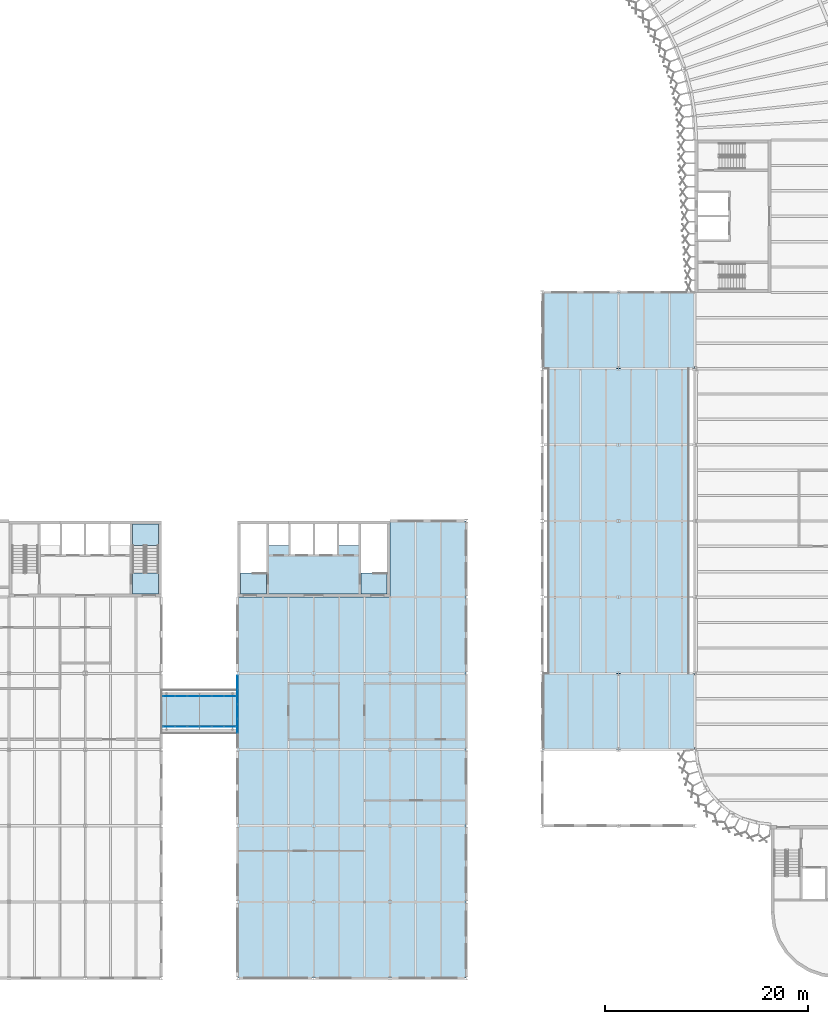
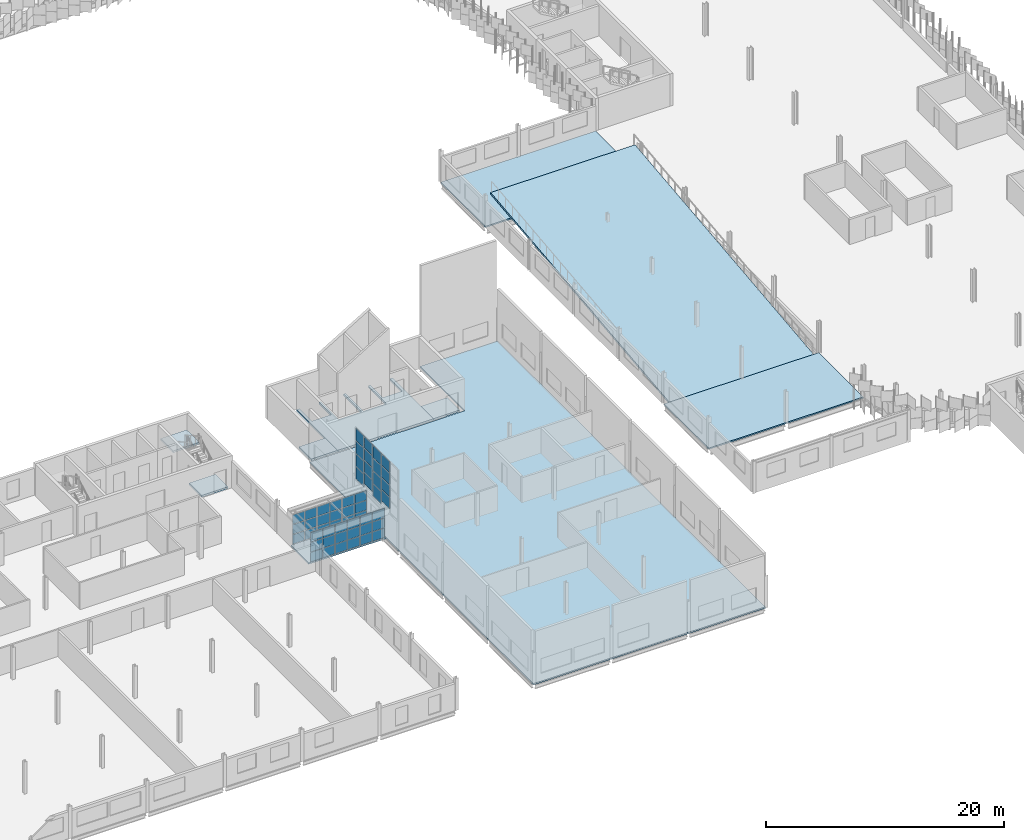
# One storey, part 41 of 198: 52 plates, 10 slabs, 11 elements without a shape of their own.
"""IFC4 building model written with IfcOpenShell, lengths in metres."""

import ifcopenshell
import ifcopenshell.guid

model = None  # the IFC model being written
_history = None  # IfcOwnerHistory: only IFC2X3 demands one
_inside = {}  # id of a spatial element -> (the spatial element, [elements in it])
_under = {}  # id of a project, library or spatial element -> (it, [spatial elements below it])
_declared = {}  # id of a project -> (the project, [libraries it declares])
_typed = {}  # id of a type object -> (the type object, [elements of that type])
_made_of = {}  # id of a material, layer set ... -> (it, [elements and type objects made of it])


def new_model(schema):
    """Start an empty IFC model of exactly this schema.

    Asked for "IFC4X3", IfcOpenShell would pick the latest addendum, in which some entities
    have other attributes; the version numbers below select the first issue.
    IFC2X3 requires an IfcOwnerHistory on every rooted entity: one is made here for all.
    """
    global model, _history
    if schema == "IFC4X3":
        model = ifcopenshell.file(schema_version=(4, 3, 0, 0))
    else:
        model = ifcopenshell.file(schema=schema)
    _inside.clear()
    _under.clear()
    _declared.clear()
    _typed.clear()
    _made_of.clear()
    _history = None
    if model.schema == "IFC2X3":
        org = make("IfcOrganization", Name="unknown")
        user = make(
            "IfcPersonAndOrganization",
            ThePerson=make("IfcPerson", FamilyName="unknown"),
            TheOrganization=org,
        )
        app = make(
            "IfcApplication",
            ApplicationDeveloper=org,
            Version="unknown",
            ApplicationFullName="unknown",
            ApplicationIdentifier="unknown",
        )
        _history = make(
            "IfcOwnerHistory",
            OwningUser=user,
            OwningApplication=app,
            ChangeAction="ADDED",
            CreationDate=0,
        )
    return model


def make(cls, **values):
    """One entity of the class cls with the attributes given. An attribute that is None is left unset."""
    return model.create_entity(
        cls, **{name: value for name, value in values.items() if value is not None}
    )


def rooted(cls, **values):
    """An entity with a GlobalId (a new one), such as an element, a storey or a relation."""
    return make(cls, GlobalId=ifcopenshell.guid.new(), OwnerHistory=_history, **values)


def si_unit(unit_type, name, prefix=None):
    """IfcSIUnit, for example si_unit("LENGTHUNIT", "METRE", prefix="MILLI")."""
    return make("IfcSIUnit", UnitType=unit_type, Prefix=prefix, Name=name)


def assignment(units):
    """IfcUnitAssignment: the units of a project."""
    return None if units is None else make("IfcUnitAssignment", Units=units)


def point(xyz):
    """IfcCartesianPoint."""
    return None if xyz is None else make("IfcCartesianPoint", Coordinates=xyz)


def direction(xyz):
    """IfcDirection."""
    return None if xyz is None else make("IfcDirection", DirectionRatios=xyz)


def frame(location, z_axis=None, x_axis=None):
    """IfcAxis2Placement3D, a coordinate frame: its origin and axes. An axis left out is left unset."""
    return make(
        "IfcAxis2Placement3D",
        Location=point(location),
        Axis=direction(z_axis),
        RefDirection=direction(x_axis),
    )


def frame_2d(location, x_axis=None):
    """IfcAxis2Placement2D, a coordinate frame in the plane: its origin and x axis."""
    return make(
        "IfcAxis2Placement2D", Location=point(location), RefDirection=direction(x_axis)
    )


def origin():
    """The frame at (0, 0, 0) with its axes left unset."""
    return frame((0.0, 0.0, 0.0))


def origin_2d():
    """The frame at (0, 0) in the plane with its x axis left unset."""
    return frame_2d((0.0, 0.0))


def place(relative_to, where):
    """IfcLocalPlacement: puts the frame where relative to a parent placement (None: the world)."""
    return make(
        "IfcLocalPlacement", PlacementRelTo=relative_to, RelativePlacement=where
    )


def context(
    kind, dimensions, precision=None, world=None, true_north=None, identifier=None
):
    """IfcGeometricRepresentationContext, for example the 3D "Model" context."""
    return make(
        "IfcGeometricRepresentationContext",
        ContextIdentifier=identifier,
        ContextType=kind,
        CoordinateSpaceDimension=dimensions,
        Precision=precision,
        WorldCoordinateSystem=world,
        TrueNorth=true_north,
    )


def subcontext(parent, identifier, kind, view, scale=None):
    """IfcGeometricRepresentationSubContext, for example "Body" below "Model"."""
    return make(
        "IfcGeometricRepresentationSubContext",
        ContextIdentifier=identifier,
        ContextType=kind,
        ParentContext=parent,
        TargetScale=scale,
        TargetView=view,
    )


def project(units=None, contexts=None):
    """IfcProject with its units and contexts."""
    return rooted(
        "IfcProject",
        Name="project",
        RepresentationContexts=contexts,
        UnitsInContext=assignment(units),
    )


def spatial(cls, under=None, at=None, **own):
    """A site, building, storey or space (cls), placed at a placement, below another one or the project."""
    s = rooted(cls, ObjectPlacement=at, **own)
    if under is not None:
        _under.setdefault(under.id(), (under, []))[1].append(s)
    return s


def polyline(points):
    """IfcPolyline through the points."""
    return make("IfcPolyline", Points=[point(p) for p in points])


def profile(cls, at=None, kind="AREA", **sizes):
    """A parametric profile (cls). Its sizes go by their IFC names, for example OverallWidth=200.0."""
    return make(cls, ProfileType=kind, Position=at, **sizes)


def rectangle(**sizes):
    """IfcRectangleProfileDef."""
    return profile("IfcRectangleProfileDef", **sizes)


def outline(outer, holes=None, kind="AREA"):
    """IfcArbitraryClosedProfileDef: a profile drawn as a closed curve; with holes, ...WithVoids."""
    if holes is None:
        return make("IfcArbitraryClosedProfileDef", ProfileType=kind, OuterCurve=outer)
    return make(
        "IfcArbitraryProfileDefWithVoids",
        ProfileType=kind,
        OuterCurve=outer,
        InnerCurves=holes,
    )


def extrude(swept, where, along, depth):
    """IfcExtrudedAreaSolid: the profile swept, set in the frame where, extruded along a direction by depth."""
    return make(
        "IfcExtrudedAreaSolid",
        SweptArea=swept,
        Position=where,
        ExtrudedDirection=direction(along),
        Depth=depth,
    )


def shape(context_of_items, identifier, shape_type, items):
    """IfcShapeRepresentation: the items that make up one representation, for example the "Body"."""
    return make(
        "IfcShapeRepresentation",
        ContextOfItems=context_of_items,
        RepresentationIdentifier=identifier,
        RepresentationType=shape_type,
        Items=items,
    )


def material(Name=None, Category=None):
    """IfcMaterial."""
    return make("IfcMaterial", Name=Name, Category=Category)


def layer(
    of_material, thickness, ventilated=None, Name=None, Category=None, Priority=None
):
    """IfcMaterialLayer: one layer of a wall or slab, of a material (None: an air gap)."""
    return make(
        "IfcMaterialLayer",
        Material=of_material,
        LayerThickness=thickness,
        IsVentilated=ventilated,
        Name=Name,
        Category=Category,
        Priority=Priority,
    )


def layer_set(layers, Name=None):
    """IfcMaterialLayerSet."""
    return make("IfcMaterialLayerSet", MaterialLayers=layers, LayerSetName=Name)


def made_of(thing, what):
    """Note that an element or type object is made of a material, layer set ...; save() writes the relation."""
    if what is not None:
        _made_of.setdefault(what.id(), (what, []))[1].append(thing)
    return thing


def type_object(cls, material=None, **own):
    """A type object (cls), such as IfcWallType, which elements share."""
    return made_of(rooted(cls, **own), material)


def element(
    cls,
    number,
    at=None,
    inside=None,
    cuts=None,
    type_object=None,
    material=None,
    context=None,
    identifier="Body",
    shape_type=None,
    held_by="IfcProductDefinitionShape",
    body=None,
    shapes=None,
    **own,
):
    """One element of the class cls, such as IfcWall. Its Tag is "e" and its number.

    at: its placement. inside: the storey or other place that contains it. cuts: it is an
    opening in that element (IfcRelVoidsElement). A single representation is given by context,
    identifier, shape_type and body (its items); several are given by shapes. held_by: the class
    of the entity that holds the representations. save() writes the other relations.
    """
    e = rooted(cls, Tag="e%d" % number, ObjectPlacement=at, **own)
    if body is not None:
        shapes = [shape(context, identifier, shape_type, body)]
    if shapes is not None:
        e.Representation = make(held_by, Representations=shapes)
    if inside is not None:
        _inside.setdefault(inside.id(), (inside, []))[1].append(e)
    if cuts is not None:
        rooted(
            "IfcRelVoidsElement", RelatingBuildingElement=cuts, RelatedOpeningElement=e
        )
    if type_object is not None:
        _typed.setdefault(type_object.id(), (type_object, []))[1].append(e)
    return made_of(e, material)


def aggregate(whole, parts):
    """IfcRelAggregates: a whole, such as a stair, and the parts it consists of."""
    return rooted("IfcRelAggregates", RelatingObject=whole, RelatedObjects=parts)


def save(model, path):
    """Write the relations noted so far, then the file.

    IfcRelAggregates (storeys below a building ...), IfcRelContainedInSpatialStructure (elements
    in a storey), IfcRelDefinesByType, IfcRelAssociatesMaterial and IfcRelDeclares: one each for
    every whole, place, type object, material and project.
    """
    for whole, parts in _under.values():
        aggregate(whole, parts)
    for where, things in _inside.values():
        rooted(
            "IfcRelContainedInSpatialStructure",
            RelatedElements=things,
            RelatingStructure=where,
        )
    for kind, things in _typed.values():
        rooted("IfcRelDefinesByType", RelatedObjects=things, RelatingType=kind)
    for what, things in _made_of.values():
        rooted("IfcRelAssociatesMaterial", RelatedObjects=things, RelatingMaterial=what)
    for by, libraries in _declared.values():
        rooted("IfcRelDeclares", RelatingContext=by, RelatedDefinitions=libraries)
    model.write(path)


model = new_model("IFC4")

# Units and contexts
model_context = context("Model", 3, precision=1e-05, world=origin(), true_north=direction((0.0, 1.0)))
body_context = subcontext(model_context, "Body", "Model", "MODEL_VIEW")
ifc_project = project(units=[si_unit("LENGTHUNIT", "METRE"), si_unit("AREAUNIT", "SQUARE_METRE"), si_unit("VOLUMEUNIT", "CUBIC_METRE"), si_unit("PLANEANGLEUNIT", "RADIAN"), si_unit("MASSUNIT", "GRAM", prefix="KILO")], contexts=[model_context])

# Site, building, storey
site_placement = place(None, origin())
site = spatial("IfcSite", under=ifc_project, at=site_placement, CompositionType="ELEMENT")
building_placement = place(site_placement, origin())
building = spatial("IfcBuilding", under=site, at=building_placement, Name="Parallax Yard Mobility Hub", CompositionType="ELEMENT")
storey_placement = place(building_placement, frame((0.0, 0.0, 6.60009765625)))
storey = spatial("IfcBuildingStorey", under=building, at=storey_placement, Name="L02", CompositionType="ELEMENT", Elevation=6.60009765625)

# Slabs
ifc_material_1 = material(Name="Composite slab: Concrete fc' 28 MPa on 76 mm steel deck", Category="concrete")
ifc_layer_1 = layer(ifc_material_1, 0.139892578125)
ifc_layer_set_1 = layer_set([ifc_layer_1], Name="Bridge deck slab")
slab_type_1 = type_object("IfcSlabType", Name="Bridge deck slab", PredefinedType="FLOOR", material=ifc_layer_set_1)
slab_1_placement = place(storey_placement, frame((0.0, 0.0, -0.14013671875)))
element("IfcSlab", 1, at=slab_1_placement, inside=storey, type_object=slab_type_1, Name="Bridge BR3 level L02 deck", PredefinedType="FLOOR", context=body_context, shape_type="SweptSolid", body=[
    extrude(outline(polyline([(142.5, 32.25), (150.0, 32.25), (150.0, 35.25), (142.5, 35.25), (142.5, 32.25)])), origin(), (0.0, 0.0, 1.0), 0.14013671875),
])
ifc_layer_2 = layer(ifc_material_1, 0.139892578125)
ifc_layer_set_2 = layer_set([ifc_layer_2], Name="Composite floor slab 140")
slab_type_2 = type_object("IfcSlabType", Name="Composite floor slab 140", PredefinedType="FLOOR", material=ifc_layer_set_2)
slab_2_placement = place(storey_placement, frame((0.0, 0.0, -0.14013671875)))
element("IfcSlab", 2, at=slab_2_placement, inside=storey, type_object=slab_type_2, Name="Composite floor slab level L02 of the bicycle and shared-mobility hall", PredefinedType="FLOOR", context=body_context, shape_type="SweptSolid", body=[
    extrude(outline(polyline([(172.5, 52.5), (165.0, 52.5), (165.0, 45.0), (150.0, 45.0), (150.0, 7.5), (172.5, 7.5), (172.5, 52.5)])), origin(), (0.0, 0.0, 1.0), 0.14013671875),
])
slab_3_placement = place(storey_placement, frame((0.0, 0.0, -0.14013671875)))
element("IfcSlab", 3, at=slab_3_placement, inside=storey, type_object=slab_type_2, Name="Composite floor slab level L02 of the ramp house (south landing)", PredefinedType="FLOOR", context=body_context, shape_type="SweptSolid", body=[
    extrude(outline(polyline([(195.0, 30.0), (195.0, 37.5), (180.0, 37.5), (180.0, 30.0), (195.0, 30.0)])), origin(), (0.0, 0.0, 1.0), 0.14013671875),
])
slab_4_placement = place(storey_placement, frame((0.0, 0.0, -0.14013671875)))
element("IfcSlab", 4, at=slab_4_placement, inside=storey, type_object=slab_type_2, Name="Composite floor slab level L02 of the ramp house (north landing)", PredefinedType="FLOOR", context=body_context, shape_type="SweptSolid", body=[
    extrude(outline(polyline([(195.0, 67.5), (195.0, 75.0), (180.0, 75.0), (180.0, 67.5), (195.0, 67.5)])), origin(), (0.0, 0.0, 1.0), 0.14013671875),
])
ifc_material_2 = material(Name="Concrete fc' 28 MPa", Category="concrete")
ifc_layer_3 = layer(ifc_material_2, 0.199951171875)
ifc_layer_set_3 = layer_set([ifc_layer_3], Name="Concrete fc' 28 MPa vehicle ramp slab 200")
slab_type_3 = type_object("IfcSlabType", Name="Concrete fc' 28 MPa vehicle ramp slab 200", PredefinedType="FLOOR", material=ifc_layer_set_3)
slab_5_placement = place(storey_placement, frame((187.5, 37.5, 0.0), z_axis=(0.0, 0.0, 1.0), x_axis=(0.0, 1.0, 0.0)))
element("IfcSlab", 5, at=slab_5_placement, inside=storey, type_object=slab_type_3, Name="Vehicle ramp slab RP3 L02 to L03", PredefinedType="FLOOR", context=body_context, shape_type="SweptSolid", body=[
    extrude(outline(polyline([(0.0, -0.199951171875), (30.0, 3.099853515625), (30.0, 3.2998046875), (0.0, 0.0), (0.0, -0.199951171875)])), frame((0.0, 7.0, 0.0), z_axis=(0.0, -1.0, 0.0), x_axis=(1.0, 0.0, 0.0)), (0.0, 0.0, 1.0), 14.0),
])
ifc_material_3 = material(Name="Concrete fc' 35 MPa", Category="concrete")
ifc_layer_4 = layer(ifc_material_3, 0.199951171875)
ifc_layer_set_4 = layer_set([ifc_layer_4], Name="Core floor slab 200")
slab_type_4 = type_object("IfcSlabType", Name="Core floor slab 200", PredefinedType="FLOOR", material=ifc_layer_set_4)
slab_6_placement = place(storey_placement, frame((0.0, 0.0, -0.2001953125)))
element("IfcSlab", 6, at=slab_6_placement, inside=storey, type_object=slab_type_4, Name="Core C5 floor slab level L02", PredefinedType="FLOOR", context=body_context, shape_type="SweptSolid", body=[
    extrude(outline(polyline([(157.39990234375, 49.199951171875), (157.39990234375, 52.199951171875), (157.60009765625, 52.199951171875), (157.60009765625, 49.199951171875), (159.800048828125, 49.199951171875), (159.800048828125, 52.199951171875), (160.0, 52.199951171875), (160.0, 50.10009765625), (161.89990234375, 50.10009765625), (161.89990234375, 52.199951171875), (162.14990234375, 52.199951171875), (162.14990234375, 45.300048828125), (152.85009765625, 45.300048828125), (152.85009765625, 52.199951171875), (153.10009765625, 52.199951171875), (153.10009765625, 50.10009765625), (155.0, 50.10009765625), (155.0, 52.199951171875), (155.199951171875, 52.199951171875), (155.199951171875, 49.199951171875), (157.39990234375, 49.199951171875)])), origin(), (0.0, 0.0, 1.0), 0.2001953125),
])

# Stair, slab
stair_type = type_object("IfcStairType", Name="Sports deck stair 1200 dog-leg", PredefinedType="HALF_TURN_STAIR", material=ifc_material_3)
stair_placement = place(storey_placement, origin())
stair = element("IfcStair", 7, at=stair_placement, inside=storey, type_object=stair_type, Name="L02 Exit stair 2 of core C6-E", PredefinedType="HALF_TURN_STAIR")
ifc_layer_5 = layer(ifc_material_3, 0.199951171875)
ifc_layer_set_5 = layer_set([ifc_layer_5], Name="Exit stair landing 200")
slab_type_5 = type_object("IfcSlabType", Name="Exit stair landing 200", PredefinedType="LANDING", material=ifc_layer_set_5)
slab_7_placement = place(storey_placement, frame((0.0, 0.0, 1.449951171875)))
slab_7 = element("IfcSlab", 8, at=slab_7_placement, type_object=slab_type_5, Name="ST14 landing 1", PredefinedType="LANDING", context=body_context, shape_type="SweptSolid", body=[
    extrude(outline(polyline([(142.199951171875, 50.10009765625), (142.199951171875, 52.199951171875), (139.64990234375, 52.199951171875), (139.64990234375, 50.10009765625), (142.199951171875, 50.10009765625)])), origin(), (0.0, 0.0, 1.0), 0.199951171875),
])
aggregate(stair, [slab_7])

# Curtain wall, plates
ifc_material_4 = material(Name="Thermally broken aluminium curtain wall system", Category="aluminium")
curtain_wall_type_1 = type_object("IfcCurtainWallType", Name="Bridge curtain wall run 50 x 120 frame", PredefinedType="NOTDEFINED", material=ifc_material_4)
curtain_wall_1_placement = place(storey_placement, origin())
curtain_wall_1 = element("IfcCurtainWall", 9, at=curtain_wall_1_placement, inside=storey, type_object=curtain_wall_type_1, Name="Curtain wall run bridge BR3 south side level L02", PredefinedType="NOTDEFINED")
ifc_material_5 = material(Name="Laminated low-E double glazing", Category="glass")
ifc_layer_6 = layer(ifc_material_5, 0.02392578125)
ifc_layer_set_6 = layer_set([ifc_layer_6], Name="Glazing panel 24")
plate_type_1 = type_object("IfcPlateType", Name="Glazing panel 24", PredefinedType="CURTAIN_PANEL", material=ifc_layer_set_6)
plate_1_placement = place(storey_placement, frame((143.24169921875, 32.25, 0.0498046875), z_axis=(0.0, 0.0, 1.0), x_axis=(1.0, 0.0, 0.0)))
plate_1 = element("IfcPlate", 10, at=plate_1_placement, type_object=plate_type_1, Name="CW2 panel 1.1", PredefinedType="CURTAIN_PANEL", context=body_context, shape_type="SweptSolid", body=[
    extrude(rectangle(XDim=1.13330078125, YDim=0.02392578125, at=origin_2d()), origin(), (0.0, 0.0, 1.0), 0.95703125),
])
plate_2_placement = place(storey_placement, frame((143.24169921875, 32.25, 1.056884765625), z_axis=(0.0, 0.0, 1.0), x_axis=(1.0, 0.0, 0.0)))
plate_2 = element("IfcPlate", 11, at=plate_2_placement, type_object=plate_type_1, Name="CW2 panel 1.2", PredefinedType="CURTAIN_PANEL", context=body_context, shape_type="SweptSolid", body=[
    extrude(rectangle(XDim=1.13330078125, YDim=0.02392578125, at=origin_2d()), origin(), (0.0, 0.0, 1.0), 0.98193359375),
])
plate_3_placement = place(storey_placement, frame((143.24169921875, 32.25, 2.0888671875), z_axis=(0.0, 0.0, 1.0), x_axis=(1.0, 0.0, 0.0)))
plate_3 = element("IfcPlate", 12, at=plate_3_placement, type_object=plate_type_1, Name="CW2 panel 1.3", PredefinedType="CURTAIN_PANEL", context=body_context, shape_type="SweptSolid", body=[
    extrude(rectangle(XDim=1.13330078125, YDim=0.02392578125, at=origin_2d()), origin(), (0.0, 0.0, 1.0), 0.95703125),
])
plate_4_placement = place(storey_placement, frame((144.425048828125, 32.25, 0.0498046875), z_axis=(0.0, 0.0, 1.0), x_axis=(1.0, 0.0, 0.0)))
plate_4 = element("IfcPlate", 13, at=plate_4_placement, type_object=plate_type_1, Name="CW2 panel 2.1", PredefinedType="CURTAIN_PANEL", context=body_context, shape_type="SweptSolid", body=[
    extrude(rectangle(XDim=1.13330078125, YDim=0.02392578125, at=origin_2d()), origin(), (0.0, 0.0, 1.0), 0.95703125),
])
plate_5_placement = place(storey_placement, frame((144.425048828125, 32.25, 1.056884765625), z_axis=(0.0, 0.0, 1.0), x_axis=(1.0, 0.0, 0.0)))
plate_5 = element("IfcPlate", 14, at=plate_5_placement, type_object=plate_type_1, Name="CW2 panel 2.2", PredefinedType="CURTAIN_PANEL", context=body_context, shape_type="SweptSolid", body=[
    extrude(rectangle(XDim=1.13330078125, YDim=0.02392578125, at=origin_2d()), origin(), (0.0, 0.0, 1.0), 0.98193359375),
])
plate_6_placement = place(storey_placement, frame((144.425048828125, 32.25, 2.0888671875), z_axis=(0.0, 0.0, 1.0), x_axis=(1.0, 0.0, 0.0)))
plate_6 = element("IfcPlate", 15, at=plate_6_placement, type_object=plate_type_1, Name="CW2 panel 2.3", PredefinedType="CURTAIN_PANEL", context=body_context, shape_type="SweptSolid", body=[
    extrude(rectangle(XDim=1.13330078125, YDim=0.02392578125, at=origin_2d()), origin(), (0.0, 0.0, 1.0), 0.95703125),
])
aggregate(curtain_wall_1, [plate_1, plate_2, plate_3, plate_4, plate_5, plate_6])

curtain_wall_2_placement = place(storey_placement, origin())
curtain_wall_2 = element("IfcCurtainWall", 16, at=curtain_wall_2_placement, inside=storey, type_object=curtain_wall_type_1, Name="Curtain wall run bridge BR3 south side level L02", PredefinedType="NOTDEFINED")
plate_7_placement = place(storey_placement, frame((145.658447265625, 32.25, 0.0498046875), z_axis=(0.0, 0.0, 1.0), x_axis=(1.0, 0.0, 0.0)))
plate_7 = element("IfcPlate", 17, at=plate_7_placement, type_object=plate_type_1, Name="CW2 panel 1.1", PredefinedType="CURTAIN_PANEL", context=body_context, shape_type="SweptSolid", body=[
    extrude(rectangle(XDim=1.13330078125, YDim=0.02392578125, at=origin_2d()), origin(), (0.0, 0.0, 1.0), 0.95703125),
])
plate_8_placement = place(storey_placement, frame((145.658447265625, 32.25, 1.056884765625), z_axis=(0.0, 0.0, 1.0), x_axis=(1.0, 0.0, 0.0)))
plate_8 = element("IfcPlate", 18, at=plate_8_placement, type_object=plate_type_1, Name="CW2 panel 1.2", PredefinedType="CURTAIN_PANEL", context=body_context, shape_type="SweptSolid", body=[
    extrude(rectangle(XDim=1.13330078125, YDim=0.02392578125, at=origin_2d()), origin(), (0.0, 0.0, 1.0), 0.98193359375),
])
plate_9_placement = place(storey_placement, frame((145.658447265625, 32.25, 2.0888671875), z_axis=(0.0, 0.0, 1.0), x_axis=(1.0, 0.0, 0.0)))
plate_9 = element("IfcPlate", 19, at=plate_9_placement, type_object=plate_type_1, Name="CW2 panel 1.3", PredefinedType="CURTAIN_PANEL", context=body_context, shape_type="SweptSolid", body=[
    extrude(rectangle(XDim=1.13330078125, YDim=0.02392578125, at=origin_2d()), origin(), (0.0, 0.0, 1.0), 0.95703125),
])
plate_10_placement = place(storey_placement, frame((146.841552734375, 32.25, 0.0498046875), z_axis=(0.0, 0.0, 1.0), x_axis=(1.0, 0.0, 0.0)))
plate_10 = element("IfcPlate", 20, at=plate_10_placement, type_object=plate_type_1, Name="CW2 panel 2.1", PredefinedType="CURTAIN_PANEL", context=body_context, shape_type="SweptSolid", body=[
    extrude(rectangle(XDim=1.13330078125, YDim=0.02392578125, at=origin_2d()), origin(), (0.0, 0.0, 1.0), 0.95703125),
])
plate_11_placement = place(storey_placement, frame((146.841552734375, 32.25, 1.056884765625), z_axis=(0.0, 0.0, 1.0), x_axis=(1.0, 0.0, 0.0)))
plate_11 = element("IfcPlate", 21, at=plate_11_placement, type_object=plate_type_1, Name="CW2 panel 2.2", PredefinedType="CURTAIN_PANEL", context=body_context, shape_type="SweptSolid", body=[
    extrude(rectangle(XDim=1.13330078125, YDim=0.02392578125, at=origin_2d()), origin(), (0.0, 0.0, 1.0), 0.98193359375),
])
plate_12_placement = place(storey_placement, frame((146.841552734375, 32.25, 2.0888671875), z_axis=(0.0, 0.0, 1.0), x_axis=(1.0, 0.0, 0.0)))
plate_12 = element("IfcPlate", 22, at=plate_12_placement, type_object=plate_type_1, Name="CW2 panel 2.3", PredefinedType="CURTAIN_PANEL", context=body_context, shape_type="SweptSolid", body=[
    extrude(rectangle(XDim=1.13330078125, YDim=0.02392578125, at=origin_2d()), origin(), (0.0, 0.0, 1.0), 0.95703125),
])
aggregate(curtain_wall_2, [plate_7, plate_8, plate_9, plate_10, plate_11, plate_12])

curtain_wall_3_placement = place(storey_placement, origin())
curtain_wall_3 = element("IfcCurtainWall", 23, at=curtain_wall_3_placement, inside=storey, type_object=curtain_wall_type_1, Name="Curtain wall run bridge BR3 south side level L02", PredefinedType="NOTDEFINED")
plate_13_placement = place(storey_placement, frame((148.074951171875, 32.25, 0.0498046875), z_axis=(0.0, 0.0, 1.0), x_axis=(1.0, 0.0, 0.0)))
plate_13 = element("IfcPlate", 24, at=plate_13_placement, type_object=plate_type_1, Name="CW2 panel 1.1", PredefinedType="CURTAIN_PANEL", context=body_context, shape_type="SweptSolid", body=[
    extrude(rectangle(XDim=1.13330078125, YDim=0.02392578125, at=origin_2d()), origin(), (0.0, 0.0, 1.0), 0.95703125),
])
plate_14_placement = place(storey_placement, frame((148.074951171875, 32.25, 1.056884765625), z_axis=(0.0, 0.0, 1.0), x_axis=(1.0, 0.0, 0.0)))
plate_14 = element("IfcPlate", 25, at=plate_14_placement, type_object=plate_type_1, Name="CW2 panel 1.2", PredefinedType="CURTAIN_PANEL", context=body_context, shape_type="SweptSolid", body=[
    extrude(rectangle(XDim=1.13330078125, YDim=0.02392578125, at=origin_2d()), origin(), (0.0, 0.0, 1.0), 0.98193359375),
])
plate_15_placement = place(storey_placement, frame((148.074951171875, 32.25, 2.0888671875), z_axis=(0.0, 0.0, 1.0), x_axis=(1.0, 0.0, 0.0)))
plate_15 = element("IfcPlate", 26, at=plate_15_placement, type_object=plate_type_1, Name="CW2 panel 1.3", PredefinedType="CURTAIN_PANEL", context=body_context, shape_type="SweptSolid", body=[
    extrude(rectangle(XDim=1.13330078125, YDim=0.02392578125, at=origin_2d()), origin(), (0.0, 0.0, 1.0), 0.95703125),
])
plate_16_placement = place(storey_placement, frame((149.25830078125, 32.25, 0.0498046875), z_axis=(0.0, 0.0, 1.0), x_axis=(1.0, 0.0, 0.0)))
plate_16 = element("IfcPlate", 27, at=plate_16_placement, type_object=plate_type_1, Name="CW2 panel 2.1", PredefinedType="CURTAIN_PANEL", context=body_context, shape_type="SweptSolid", body=[
    extrude(rectangle(XDim=1.13330078125, YDim=0.02392578125, at=origin_2d()), origin(), (0.0, 0.0, 1.0), 0.95703125),
])
plate_17_placement = place(storey_placement, frame((149.25830078125, 32.25, 1.056884765625), z_axis=(0.0, 0.0, 1.0), x_axis=(1.0, 0.0, 0.0)))
plate_17 = element("IfcPlate", 28, at=plate_17_placement, type_object=plate_type_1, Name="CW2 panel 2.2", PredefinedType="CURTAIN_PANEL", context=body_context, shape_type="SweptSolid", body=[
    extrude(rectangle(XDim=1.13330078125, YDim=0.02392578125, at=origin_2d()), origin(), (0.0, 0.0, 1.0), 0.98193359375),
])
plate_18_placement = place(storey_placement, frame((149.25830078125, 32.25, 2.0888671875), z_axis=(0.0, 0.0, 1.0), x_axis=(1.0, 0.0, 0.0)))
plate_18 = element("IfcPlate", 29, at=plate_18_placement, type_object=plate_type_1, Name="CW2 panel 2.3", PredefinedType="CURTAIN_PANEL", context=body_context, shape_type="SweptSolid", body=[
    extrude(rectangle(XDim=1.13330078125, YDim=0.02392578125, at=origin_2d()), origin(), (0.0, 0.0, 1.0), 0.95703125),
])
aggregate(curtain_wall_3, [plate_13, plate_14, plate_15, plate_16, plate_17, plate_18])

curtain_wall_4_placement = place(storey_placement, origin())
curtain_wall_4 = element("IfcCurtainWall", 30, at=curtain_wall_4_placement, inside=storey, type_object=curtain_wall_type_1, Name="Curtain wall run bridge BR3 north side level L02", PredefinedType="NOTDEFINED")
plate_19_placement = place(storey_placement, frame((143.24169921875, 35.25, 0.0498046875), z_axis=(0.0, 0.0, 1.0), x_axis=(1.0, 0.0, 0.0)))
plate_19 = element("IfcPlate", 31, at=plate_19_placement, type_object=plate_type_1, Name="CW2 panel 1.1", PredefinedType="CURTAIN_PANEL", context=body_context, shape_type="SweptSolid", body=[
    extrude(rectangle(XDim=1.13330078125, YDim=0.02392578125, at=origin_2d()), origin(), (0.0, 0.0, 1.0), 0.95703125),
])
plate_20_placement = place(storey_placement, frame((143.24169921875, 35.25, 1.056884765625), z_axis=(0.0, 0.0, 1.0), x_axis=(1.0, 0.0, 0.0)))
plate_20 = element("IfcPlate", 32, at=plate_20_placement, type_object=plate_type_1, Name="CW2 panel 1.2", PredefinedType="CURTAIN_PANEL", context=body_context, shape_type="SweptSolid", body=[
    extrude(rectangle(XDim=1.13330078125, YDim=0.02392578125, at=origin_2d()), origin(), (0.0, 0.0, 1.0), 0.98193359375),
])
plate_21_placement = place(storey_placement, frame((143.24169921875, 35.25, 2.0888671875), z_axis=(0.0, 0.0, 1.0), x_axis=(1.0, 0.0, 0.0)))
plate_21 = element("IfcPlate", 33, at=plate_21_placement, type_object=plate_type_1, Name="CW2 panel 1.3", PredefinedType="CURTAIN_PANEL", context=body_context, shape_type="SweptSolid", body=[
    extrude(rectangle(XDim=1.13330078125, YDim=0.02392578125, at=origin_2d()), origin(), (0.0, 0.0, 1.0), 0.95703125),
])
plate_22_placement = place(storey_placement, frame((144.425048828125, 35.25, 0.0498046875), z_axis=(0.0, 0.0, 1.0), x_axis=(1.0, 0.0, 0.0)))
plate_22 = element("IfcPlate", 34, at=plate_22_placement, type_object=plate_type_1, Name="CW2 panel 2.1", PredefinedType="CURTAIN_PANEL", context=body_context, shape_type="SweptSolid", body=[
    extrude(rectangle(XDim=1.13330078125, YDim=0.02392578125, at=origin_2d()), origin(), (0.0, 0.0, 1.0), 0.95703125),
])
plate_23_placement = place(storey_placement, frame((144.425048828125, 35.25, 1.056884765625), z_axis=(0.0, 0.0, 1.0), x_axis=(1.0, 0.0, 0.0)))
plate_23 = element("IfcPlate", 35, at=plate_23_placement, type_object=plate_type_1, Name="CW2 panel 2.2", PredefinedType="CURTAIN_PANEL", context=body_context, shape_type="SweptSolid", body=[
    extrude(rectangle(XDim=1.13330078125, YDim=0.02392578125, at=origin_2d()), origin(), (0.0, 0.0, 1.0), 0.98193359375),
])
plate_24_placement = place(storey_placement, frame((144.425048828125, 35.25, 2.0888671875), z_axis=(0.0, 0.0, 1.0), x_axis=(1.0, 0.0, 0.0)))
plate_24 = element("IfcPlate", 36, at=plate_24_placement, type_object=plate_type_1, Name="CW2 panel 2.3", PredefinedType="CURTAIN_PANEL", context=body_context, shape_type="SweptSolid", body=[
    extrude(rectangle(XDim=1.13330078125, YDim=0.02392578125, at=origin_2d()), origin(), (0.0, 0.0, 1.0), 0.95703125),
])
aggregate(curtain_wall_4, [plate_19, plate_20, plate_21, plate_22, plate_23, plate_24])

curtain_wall_5_placement = place(storey_placement, origin())
curtain_wall_5 = element("IfcCurtainWall", 37, at=curtain_wall_5_placement, inside=storey, type_object=curtain_wall_type_1, Name="Curtain wall run bridge BR3 north side level L02", PredefinedType="NOTDEFINED")
plate_25_placement = place(storey_placement, frame((145.658447265625, 35.25, 0.0498046875), z_axis=(0.0, 0.0, 1.0), x_axis=(1.0, 0.0, 0.0)))
plate_25 = element("IfcPlate", 38, at=plate_25_placement, type_object=plate_type_1, Name="CW2 panel 1.1", PredefinedType="CURTAIN_PANEL", context=body_context, shape_type="SweptSolid", body=[
    extrude(rectangle(XDim=1.13330078125, YDim=0.02392578125, at=origin_2d()), origin(), (0.0, 0.0, 1.0), 0.95703125),
])
plate_26_placement = place(storey_placement, frame((145.658447265625, 35.25, 1.056884765625), z_axis=(0.0, 0.0, 1.0), x_axis=(1.0, 0.0, 0.0)))
plate_26 = element("IfcPlate", 39, at=plate_26_placement, type_object=plate_type_1, Name="CW2 panel 1.2", PredefinedType="CURTAIN_PANEL", context=body_context, shape_type="SweptSolid", body=[
    extrude(rectangle(XDim=1.13330078125, YDim=0.02392578125, at=origin_2d()), origin(), (0.0, 0.0, 1.0), 0.98193359375),
])
plate_27_placement = place(storey_placement, frame((145.658447265625, 35.25, 2.0888671875), z_axis=(0.0, 0.0, 1.0), x_axis=(1.0, 0.0, 0.0)))
plate_27 = element("IfcPlate", 40, at=plate_27_placement, type_object=plate_type_1, Name="CW2 panel 1.3", PredefinedType="CURTAIN_PANEL", context=body_context, shape_type="SweptSolid", body=[
    extrude(rectangle(XDim=1.13330078125, YDim=0.02392578125, at=origin_2d()), origin(), (0.0, 0.0, 1.0), 0.95703125),
])
plate_28_placement = place(storey_placement, frame((146.841552734375, 35.25, 0.0498046875), z_axis=(0.0, 0.0, 1.0), x_axis=(1.0, 0.0, 0.0)))
plate_28 = element("IfcPlate", 41, at=plate_28_placement, type_object=plate_type_1, Name="CW2 panel 2.1", PredefinedType="CURTAIN_PANEL", context=body_context, shape_type="SweptSolid", body=[
    extrude(rectangle(XDim=1.13330078125, YDim=0.02392578125, at=origin_2d()), origin(), (0.0, 0.0, 1.0), 0.95703125),
])
plate_29_placement = place(storey_placement, frame((146.841552734375, 35.25, 1.056884765625), z_axis=(0.0, 0.0, 1.0), x_axis=(1.0, 0.0, 0.0)))
plate_29 = element("IfcPlate", 42, at=plate_29_placement, type_object=plate_type_1, Name="CW2 panel 2.2", PredefinedType="CURTAIN_PANEL", context=body_context, shape_type="SweptSolid", body=[
    extrude(rectangle(XDim=1.13330078125, YDim=0.02392578125, at=origin_2d()), origin(), (0.0, 0.0, 1.0), 0.98193359375),
])
plate_30_placement = place(storey_placement, frame((146.841552734375, 35.25, 2.0888671875), z_axis=(0.0, 0.0, 1.0), x_axis=(1.0, 0.0, 0.0)))
plate_30 = element("IfcPlate", 43, at=plate_30_placement, type_object=plate_type_1, Name="CW2 panel 2.3", PredefinedType="CURTAIN_PANEL", context=body_context, shape_type="SweptSolid", body=[
    extrude(rectangle(XDim=1.13330078125, YDim=0.02392578125, at=origin_2d()), origin(), (0.0, 0.0, 1.0), 0.95703125),
])
aggregate(curtain_wall_5, [plate_25, plate_26, plate_27, plate_28, plate_29, plate_30])

curtain_wall_6_placement = place(storey_placement, origin())
curtain_wall_6 = element("IfcCurtainWall", 44, at=curtain_wall_6_placement, inside=storey, type_object=curtain_wall_type_1, Name="Curtain wall run bridge BR3 north side level L02", PredefinedType="NOTDEFINED")
plate_31_placement = place(storey_placement, frame((148.074951171875, 35.25, 0.0498046875), z_axis=(0.0, 0.0, 1.0), x_axis=(1.0, 0.0, 0.0)))
plate_31 = element("IfcPlate", 45, at=plate_31_placement, type_object=plate_type_1, Name="CW2 panel 1.1", PredefinedType="CURTAIN_PANEL", context=body_context, shape_type="SweptSolid", body=[
    extrude(rectangle(XDim=1.13330078125, YDim=0.02392578125, at=origin_2d()), origin(), (0.0, 0.0, 1.0), 0.95703125),
])
plate_32_placement = place(storey_placement, frame((148.074951171875, 35.25, 1.056884765625), z_axis=(0.0, 0.0, 1.0), x_axis=(1.0, 0.0, 0.0)))
plate_32 = element("IfcPlate", 46, at=plate_32_placement, type_object=plate_type_1, Name="CW2 panel 1.2", PredefinedType="CURTAIN_PANEL", context=body_context, shape_type="SweptSolid", body=[
    extrude(rectangle(XDim=1.13330078125, YDim=0.02392578125, at=origin_2d()), origin(), (0.0, 0.0, 1.0), 0.98193359375),
])
plate_33_placement = place(storey_placement, frame((148.074951171875, 35.25, 2.0888671875), z_axis=(0.0, 0.0, 1.0), x_axis=(1.0, 0.0, 0.0)))
plate_33 = element("IfcPlate", 47, at=plate_33_placement, type_object=plate_type_1, Name="CW2 panel 1.3", PredefinedType="CURTAIN_PANEL", context=body_context, shape_type="SweptSolid", body=[
    extrude(rectangle(XDim=1.13330078125, YDim=0.02392578125, at=origin_2d()), origin(), (0.0, 0.0, 1.0), 0.95703125),
])
plate_34_placement = place(storey_placement, frame((149.25830078125, 35.25, 0.0498046875), z_axis=(0.0, 0.0, 1.0), x_axis=(1.0, 0.0, 0.0)))
plate_34 = element("IfcPlate", 48, at=plate_34_placement, type_object=plate_type_1, Name="CW2 panel 2.1", PredefinedType="CURTAIN_PANEL", context=body_context, shape_type="SweptSolid", body=[
    extrude(rectangle(XDim=1.13330078125, YDim=0.02392578125, at=origin_2d()), origin(), (0.0, 0.0, 1.0), 0.95703125),
])
plate_35_placement = place(storey_placement, frame((149.25830078125, 35.25, 1.056884765625), z_axis=(0.0, 0.0, 1.0), x_axis=(1.0, 0.0, 0.0)))
plate_35 = element("IfcPlate", 49, at=plate_35_placement, type_object=plate_type_1, Name="CW2 panel 2.2", PredefinedType="CURTAIN_PANEL", context=body_context, shape_type="SweptSolid", body=[
    extrude(rectangle(XDim=1.13330078125, YDim=0.02392578125, at=origin_2d()), origin(), (0.0, 0.0, 1.0), 0.98193359375),
])
plate_36_placement = place(storey_placement, frame((149.25830078125, 35.25, 2.0888671875), z_axis=(0.0, 0.0, 1.0), x_axis=(1.0, 0.0, 0.0)))
plate_36 = element("IfcPlate", 50, at=plate_36_placement, type_object=plate_type_1, Name="CW2 panel 2.3", PredefinedType="CURTAIN_PANEL", context=body_context, shape_type="SweptSolid", body=[
    extrude(rectangle(XDim=1.13330078125, YDim=0.02392578125, at=origin_2d()), origin(), (0.0, 0.0, 1.0), 0.95703125),
])
aggregate(curtain_wall_6, [plate_31, plate_32, plate_33, plate_34, plate_35, plate_36])

curtain_wall_type_2 = type_object("IfcCurtainWallType", Name="Clerestory glazing run 60 x 120 frame", PredefinedType="NOTDEFINED", material=ifc_material_4)
curtain_wall_7_placement = place(storey_placement, origin())
curtain_wall_7 = element("IfcCurtainWall", 51, at=curtain_wall_7_placement, inside=storey, type_object=curtain_wall_type_2, Name="Clerestory glazing run Bicycle and shared-mobility hall west bay 4 level L02", PredefinedType="NOTDEFINED")
ifc_layer_7 = layer(ifc_material_5, 0.028076171875)
ifc_layer_set_7 = layer_set([ifc_layer_7], Name="Glazing panel 28")
plate_type_2 = type_object("IfcPlateType", Name="Glazing panel 28", PredefinedType="CURTAIN_PANEL", material=ifc_layer_set_7)
plate_37_placement = place(storey_placement, frame((150.0, 32.311279296875, 3.308837890625), z_axis=(0.0, 0.0, 1.0), x_axis=(0.0, 1.0, 0.0)))
plate_37 = element("IfcPlate", 52, at=plate_37_placement, type_object=plate_type_2, Name="CW4 panel 1.1", PredefinedType="CURTAIN_PANEL", context=body_context, shape_type="SweptSolid", body=[
    extrude(rectangle(XDim=1.318603515625, YDim=0.028076171875, at=origin_2d()), origin(), (0.0, 0.0, 1.0), 1.14599609375),
])
plate_38_placement = place(storey_placement, frame((150.0, 32.311279296875, 4.5146484375), z_axis=(0.0, 0.0, 1.0), x_axis=(0.0, 1.0, 0.0)))
plate_38 = element("IfcPlate", 53, at=plate_38_placement, type_object=plate_type_2, Name="CW4 panel 1.2", PredefinedType="CURTAIN_PANEL", context=body_context, shape_type="SweptSolid", body=[
    extrude(rectangle(XDim=1.318603515625, YDim=0.028076171875, at=origin_2d()), origin(), (0.0, 0.0, 1.0), 1.176025390625),
])
plate_39_placement = place(storey_placement, frame((150.0, 32.311279296875, 5.7509765625), z_axis=(0.0, 0.0, 1.0), x_axis=(0.0, 1.0, 0.0)))
plate_39 = element("IfcPlate", 54, at=plate_39_placement, type_object=plate_type_2, Name="CW4 panel 1.3", PredefinedType="CURTAIN_PANEL", context=body_context, shape_type="SweptSolid", body=[
    extrude(rectangle(XDim=1.318603515625, YDim=0.028076171875, at=origin_2d()), origin(), (0.0, 0.0, 1.0), 1.17578125),
])
plate_40_placement = place(storey_placement, frame((150.0, 32.311279296875, 6.986572265625), z_axis=(0.0, 0.0, 1.0), x_axis=(0.0, 1.0, 0.0)))
plate_40 = element("IfcPlate", 55, at=plate_40_placement, type_object=plate_type_2, Name="CW4 panel 1.4", PredefinedType="CURTAIN_PANEL", context=body_context, shape_type="SweptSolid", body=[
    extrude(rectangle(XDim=1.318603515625, YDim=0.028076171875, at=origin_2d()), origin(), (0.0, 0.0, 1.0), 1.14599609375),
])
aggregate(curtain_wall_7, [plate_37, plate_38, plate_39, plate_40])

curtain_wall_8_placement = place(storey_placement, origin())
curtain_wall_8 = element("IfcCurtainWall", 56, at=curtain_wall_8_placement, inside=storey, type_object=curtain_wall_type_2, Name="Clerestory glazing run Bicycle and shared-mobility hall west bay 4 level L02", PredefinedType="NOTDEFINED")
plate_41_placement = place(storey_placement, frame((150.0, 33.75, 2.9599609375), z_axis=(0.0, 0.0, 1.0), x_axis=(0.0, 1.0, 0.0)))
plate_41 = element("IfcPlate", 57, at=plate_41_placement, type_object=plate_type_2, Name="CW4 panel 1.1", PredefinedType="CURTAIN_PANEL", context=body_context, shape_type="SweptSolid", body=[
    extrude(rectangle(XDim=1.318603515625, YDim=0.028076171875, at=origin_2d()), origin(), (0.0, 0.0, 1.0), 1.233154296875),
])
plate_42_placement = place(storey_placement, frame((150.0, 33.75, 4.253173828125), z_axis=(0.0, 0.0, 1.0), x_axis=(0.0, 1.0, 0.0)))
plate_42 = element("IfcPlate", 58, at=plate_42_placement, type_object=plate_type_2, Name="CW4 panel 1.2", PredefinedType="CURTAIN_PANEL", context=body_context, shape_type="SweptSolid", body=[
    extrude(rectangle(XDim=1.318603515625, YDim=0.028076171875, at=origin_2d()), origin(), (0.0, 0.0, 1.0), 1.26318359375),
])
plate_43_placement = place(storey_placement, frame((150.0, 33.75, 5.576171875), z_axis=(0.0, 0.0, 1.0), x_axis=(0.0, 1.0, 0.0)))
plate_43 = element("IfcPlate", 59, at=plate_43_placement, type_object=plate_type_2, Name="CW4 panel 1.3", PredefinedType="CURTAIN_PANEL", context=body_context, shape_type="SweptSolid", body=[
    extrude(rectangle(XDim=1.318603515625, YDim=0.028076171875, at=origin_2d()), origin(), (0.0, 0.0, 1.0), 1.26318359375),
])
plate_44_placement = place(storey_placement, frame((150.0, 33.75, 6.8994140625), z_axis=(0.0, 0.0, 1.0), x_axis=(0.0, 1.0, 0.0)))
plate_44 = element("IfcPlate", 60, at=plate_44_placement, type_object=plate_type_2, Name="CW4 panel 1.4", PredefinedType="CURTAIN_PANEL", context=body_context, shape_type="SweptSolid", body=[
    extrude(rectangle(XDim=1.318603515625, YDim=0.028076171875, at=origin_2d()), origin(), (0.0, 0.0, 1.0), 1.233154296875),
])
aggregate(curtain_wall_8, [plate_41, plate_42, plate_43, plate_44])

curtain_wall_9_placement = place(storey_placement, origin())
curtain_wall_9 = element("IfcCurtainWall", 61, at=curtain_wall_9_placement, inside=storey, type_object=curtain_wall_type_2, Name="Clerestory glazing run Bicycle and shared-mobility hall west bay 4 level L02", PredefinedType="NOTDEFINED")
plate_45_placement = place(storey_placement, frame((150.0, 35.188720703125, 3.308837890625), z_axis=(0.0, 0.0, 1.0), x_axis=(0.0, 1.0, 0.0)))
plate_45 = element("IfcPlate", 62, at=plate_45_placement, type_object=plate_type_2, Name="CW4 panel 1.1", PredefinedType="CURTAIN_PANEL", context=body_context, shape_type="SweptSolid", body=[
    extrude(rectangle(XDim=1.318603515625, YDim=0.028076171875, at=origin_2d()), origin(), (0.0, 0.0, 1.0), 1.14599609375),
])
plate_46_placement = place(storey_placement, frame((150.0, 35.188720703125, 4.5146484375), z_axis=(0.0, 0.0, 1.0), x_axis=(0.0, 1.0, 0.0)))
plate_46 = element("IfcPlate", 63, at=plate_46_placement, type_object=plate_type_2, Name="CW4 panel 1.2", PredefinedType="CURTAIN_PANEL", context=body_context, shape_type="SweptSolid", body=[
    extrude(rectangle(XDim=1.318603515625, YDim=0.028076171875, at=origin_2d()), origin(), (0.0, 0.0, 1.0), 1.176025390625),
])
plate_47_placement = place(storey_placement, frame((150.0, 35.188720703125, 5.7509765625), z_axis=(0.0, 0.0, 1.0), x_axis=(0.0, 1.0, 0.0)))
plate_47 = element("IfcPlate", 64, at=plate_47_placement, type_object=plate_type_2, Name="CW4 panel 1.3", PredefinedType="CURTAIN_PANEL", context=body_context, shape_type="SweptSolid", body=[
    extrude(rectangle(XDim=1.318603515625, YDim=0.028076171875, at=origin_2d()), origin(), (0.0, 0.0, 1.0), 1.17578125),
])
plate_48_placement = place(storey_placement, frame((150.0, 35.188720703125, 6.986572265625), z_axis=(0.0, 0.0, 1.0), x_axis=(0.0, 1.0, 0.0)))
plate_48 = element("IfcPlate", 65, at=plate_48_placement, type_object=plate_type_2, Name="CW4 panel 1.4", PredefinedType="CURTAIN_PANEL", context=body_context, shape_type="SweptSolid", body=[
    extrude(rectangle(XDim=1.318603515625, YDim=0.028076171875, at=origin_2d()), origin(), (0.0, 0.0, 1.0), 1.14599609375),
])
aggregate(curtain_wall_9, [plate_45, plate_46, plate_47, plate_48])

curtain_wall_10_placement = place(storey_placement, origin())
curtain_wall_10 = element("IfcCurtainWall", 66, at=curtain_wall_10_placement, inside=storey, type_object=curtain_wall_type_2, Name="Clerestory glazing run Bicycle and shared-mobility hall west bay 4 level L02", PredefinedType="NOTDEFINED")
plate_49_placement = place(storey_placement, frame((150.0, 36.627197265625, 2.9599609375), z_axis=(0.0, 0.0, 1.0), x_axis=(0.0, 1.0, 0.0)))
plate_49 = element("IfcPlate", 67, at=plate_49_placement, type_object=plate_type_2, Name="CW4 panel 1.1", PredefinedType="CURTAIN_PANEL", context=body_context, shape_type="SweptSolid", body=[
    extrude(rectangle(XDim=1.318603515625, YDim=0.028076171875, at=origin_2d()), origin(), (0.0, 0.0, 1.0), 1.233154296875),
])
plate_50_placement = place(storey_placement, frame((150.0, 36.627197265625, 4.253173828125), z_axis=(0.0, 0.0, 1.0), x_axis=(0.0, 1.0, 0.0)))
plate_50 = element("IfcPlate", 68, at=plate_50_placement, type_object=plate_type_2, Name="CW4 panel 1.2", PredefinedType="CURTAIN_PANEL", context=body_context, shape_type="SweptSolid", body=[
    extrude(rectangle(XDim=1.318603515625, YDim=0.028076171875, at=origin_2d()), origin(), (0.0, 0.0, 1.0), 1.26318359375),
])
plate_51_placement = place(storey_placement, frame((150.0, 36.627197265625, 5.576171875), z_axis=(0.0, 0.0, 1.0), x_axis=(0.0, 1.0, 0.0)))
plate_51 = element("IfcPlate", 69, at=plate_51_placement, type_object=plate_type_2, Name="CW4 panel 1.3", PredefinedType="CURTAIN_PANEL", context=body_context, shape_type="SweptSolid", body=[
    extrude(rectangle(XDim=1.318603515625, YDim=0.028076171875, at=origin_2d()), origin(), (0.0, 0.0, 1.0), 1.26318359375),
])
plate_52_placement = place(storey_placement, frame((150.0, 36.627197265625, 6.8994140625), z_axis=(0.0, 0.0, 1.0), x_axis=(0.0, 1.0, 0.0)))
plate_52 = element("IfcPlate", 70, at=plate_52_placement, type_object=plate_type_2, Name="CW4 panel 1.4", PredefinedType="CURTAIN_PANEL", context=body_context, shape_type="SweptSolid", body=[
    extrude(rectangle(XDim=1.318603515625, YDim=0.028076171875, at=origin_2d()), origin(), (0.0, 0.0, 1.0), 1.233154296875),
])
aggregate(curtain_wall_10, [plate_49, plate_50, plate_51, plate_52])

# Slabs
ifc_layer_8 = layer(ifc_material_3, 0.199951171875)
ifc_layer_set_8 = layer_set([ifc_layer_8], Name="Stair floor landing slab 200")
slab_type_6 = type_object("IfcSlabType", Name="Stair floor landing slab 200", PredefinedType="FLOOR", material=ifc_layer_set_8)
slab_8_placement = place(storey_placement, frame((0.0, 0.0, -0.2001953125)))
element("IfcSlab", 71, at=slab_8_placement, inside=storey, type_object=slab_type_6, Name="Core C6-E exit stair 2 floor landing level L02", PredefinedType="FLOOR", context=body_context, shape_type="SweptSolid", body=[
    extrude(outline(polyline([(142.199951171875, 45.300048828125), (142.199951171875, 47.39990234375), (139.64990234375, 47.39990234375), (139.64990234375, 45.300048828125), (142.199951171875, 45.300048828125)])), origin(), (0.0, 0.0, 1.0), 0.2001953125),
])
slab_9_placement = place(storey_placement, frame((0.0, 0.0, -0.2001953125)))
element("IfcSlab", 72, at=slab_9_placement, inside=storey, type_object=slab_type_6, Name="Core C5 exit stair 1 floor landing level L02", PredefinedType="FLOOR", context=body_context, shape_type="SweptSolid", body=[
    extrude(outline(polyline([(152.85009765625, 45.300048828125), (152.85009765625, 47.39990234375), (150.300048828125, 47.39990234375), (150.300048828125, 45.300048828125), (152.85009765625, 45.300048828125)])), origin(), (0.0, 0.0, 1.0), 0.2001953125),
])
slab_10_placement = place(storey_placement, frame((0.0, 0.0, -0.2001953125)))
element("IfcSlab", 73, at=slab_10_placement, inside=storey, type_object=slab_type_6, Name="Core C5 exit stair 2 floor landing level L02", PredefinedType="FLOOR", context=body_context, shape_type="SweptSolid", body=[
    extrude(outline(polyline([(164.699951171875, 45.300048828125), (164.699951171875, 47.39990234375), (162.14990234375, 47.39990234375), (162.14990234375, 45.300048828125), (164.699951171875, 45.300048828125)])), origin(), (0.0, 0.0, 1.0), 0.2001953125),
])

save(model, "model.ifc")
